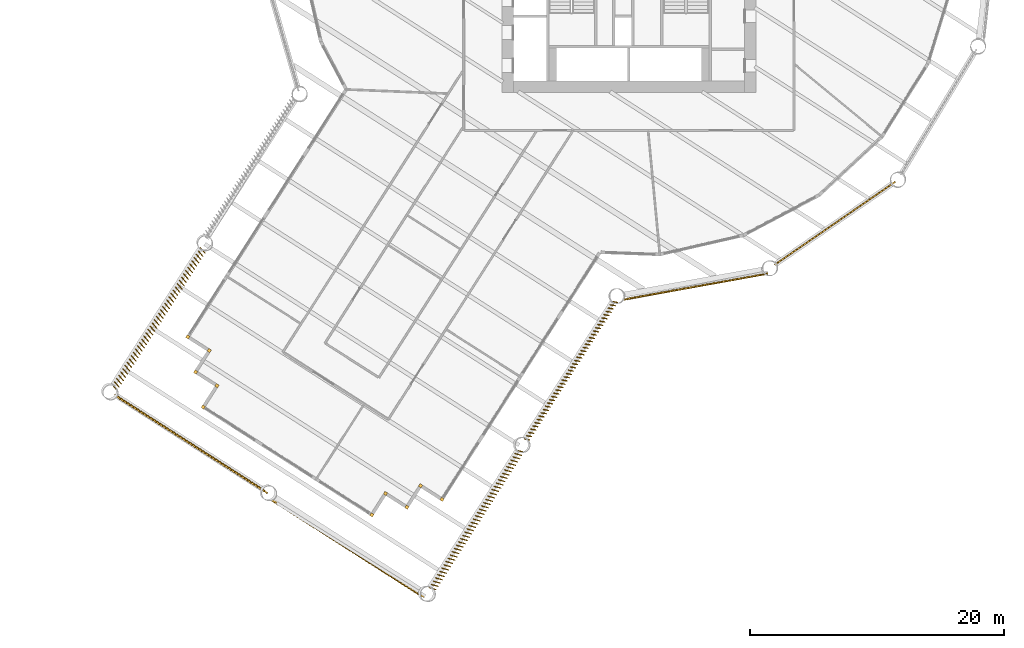
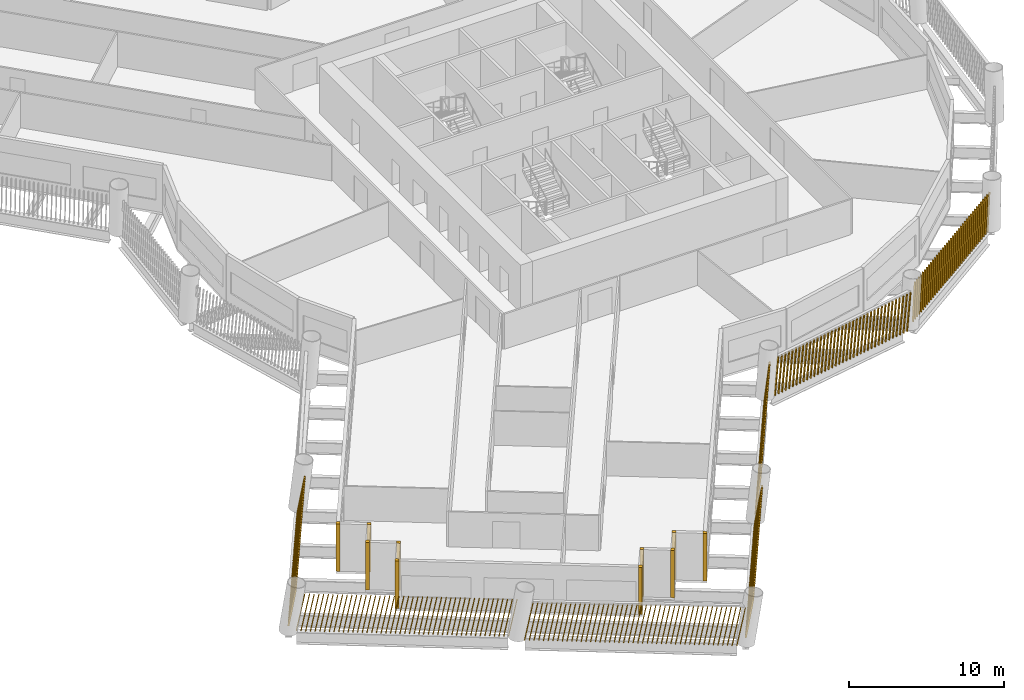
# One storey, part 11 of 15: 17 shading devices.
"""IFC4 building model written with IfcOpenShell, lengths in metres."""

from ifc_helpers import new_model, si_unit, direction, frame, frame_2d, origin, origin_2d, place, context, subcontext, project, spatial, rectangle, composite_profile, extrude, material, type_object, element, save


model = new_model("IFC4")

# Units and contexts
model_context = context("Model", 3, precision=1e-05, world=origin(), true_north=direction((0.0, 1.0)))
body_context = subcontext(model_context, "Body", "Model", "MODEL_VIEW")
ifc_project = project(units=[si_unit("LENGTHUNIT", "METRE"), si_unit("AREAUNIT", "SQUARE_METRE"), si_unit("VOLUMEUNIT", "CUBIC_METRE"), si_unit("PLANEANGLEUNIT", "RADIAN"), si_unit("MASSUNIT", "GRAM", prefix="KILO")], contexts=[model_context])

# Site, building, storey
site_placement = place(None, origin())
site = spatial("IfcSite", under=ifc_project, at=site_placement, CompositionType="ELEMENT")
building_placement = place(site_placement, origin())
building = spatial("IfcBuilding", under=site, at=building_placement, Name="Tarsis Ring Headquarters", CompositionType="ELEMENT")
storey_placement = place(building_placement, frame((0.0, 0.0, 67.300048828125)))
storey = spatial("IfcBuildingStorey", under=building, at=storey_placement, Name="L14", CompositionType="ELEMENT", Elevation=67.300048828125)

# Shading devices
ifc_material = material(Name="Terracotta baguette", Category="masonry")
shading_device_type_1 = type_object("IfcShadingDeviceType", Name="Terracotta baguette screen", PredefinedType="USERDEFINED", material=ifc_material)
shading_device_1_placement = place(storey_placement, frame((-33.694580078125, -25.217041015625, 0.0), z_axis=(0.0, 0.0, 1.0), x_axis=(-0.538781766231, -0.842450848676, 0.0)))
element("IfcShadingDevice", 1, at=shading_device_1_placement, inside=storey, type_object=shading_device_type_1, Name="Baguette screen L14-02", ObjectType="Terracotta baguette screen", PredefinedType="USERDEFINED", context=body_context, shape_type="SweptSolid", body=[
    extrude(composite_profile([rectangle(XDim=0.06005859375, YDim=0.1201171875, at=frame_2d((0.030029296875, 0.0))), rectangle(XDim=0.06005859375, YDim=0.1201171875, at=frame_2d((0.335693359375, 0.0))), rectangle(XDim=0.06005859375, YDim=0.1201171875, at=frame_2d((0.6416015625, 0.0))), rectangle(XDim=0.06005859375, YDim=0.1201171875, at=frame_2d((0.947265625, 0.0))), rectangle(XDim=0.06005859375, YDim=0.1201171875, at=frame_2d((1.253173828125, 0.0))), rectangle(XDim=0.06005859375, YDim=0.1201171875, at=frame_2d((1.558837890625, 0.0))), rectangle(XDim=0.06005859375, YDim=0.1201171875, at=frame_2d((1.864501953125, 0.0))), rectangle(XDim=0.06005859375, YDim=0.1201171875, at=frame_2d((2.17041015625, 0.0))), rectangle(XDim=0.06005859375, YDim=0.1201171875, at=frame_2d((2.47607421875, 0.0))), rectangle(XDim=0.06005859375, YDim=0.1201171875, at=frame_2d((2.781982421875, 0.0))), rectangle(XDim=0.06005859375, YDim=0.1201171875, at=frame_2d((3.087646484375, 0.0))), rectangle(XDim=0.06005859375, YDim=0.1201171875, at=frame_2d((3.393310546875, 0.0))), rectangle(XDim=0.06005859375, YDim=0.1201171875, at=frame_2d((3.69921875, 0.0))), rectangle(XDim=0.06005859375, YDim=0.1201171875, at=frame_2d((4.0048828125, 0.0))), rectangle(XDim=0.06005859375, YDim=0.1201171875, at=frame_2d((4.310791015625, 0.0))), rectangle(XDim=0.06005859375, YDim=0.1201171875, at=frame_2d((4.616455078125, 0.0))), rectangle(XDim=0.06005859375, YDim=0.1201171875, at=frame_2d((4.922119140625, 0.0))), rectangle(XDim=0.06005859375, YDim=0.1201171875, at=frame_2d((5.22802734375, 0.0))), rectangle(XDim=0.06005859375, YDim=0.1201171875, at=frame_2d((5.53369140625, 0.0))), rectangle(XDim=0.06005859375, YDim=0.1201171875, at=frame_2d((5.839599609375, 0.0))), rectangle(XDim=0.06005859375, YDim=0.1201171875, at=frame_2d((6.145263671875, 0.0))), rectangle(XDim=0.06005859375, YDim=0.1201171875, at=frame_2d((6.451171875, 0.0))), rectangle(XDim=0.06005859375, YDim=0.1201171875, at=frame_2d((6.7568359375, 0.0))), rectangle(XDim=0.06005859375, YDim=0.1201171875, at=frame_2d((7.0625, 0.0))), rectangle(XDim=0.06005859375, YDim=0.1201171875, at=frame_2d((7.368408203125, 0.0))), rectangle(XDim=0.06005859375, YDim=0.1201171875, at=frame_2d((7.674072265625, 0.0))), rectangle(XDim=0.06005859375, YDim=0.1201171875, at=frame_2d((7.97998046875, 0.0))), rectangle(XDim=0.06005859375, YDim=0.1201171875, at=frame_2d((8.28564453125, 0.0))), rectangle(XDim=0.06005859375, YDim=0.1201171875, at=frame_2d((8.59130859375, 0.0))), rectangle(XDim=0.06005859375, YDim=0.1201171875, at=frame_2d((8.897216796875, 0.0))), rectangle(XDim=0.06005859375, YDim=0.1201171875, at=frame_2d((9.202880859375, 0.0))), rectangle(XDim=0.06005859375, YDim=0.1201171875, at=frame_2d((9.5087890625, 0.0))), rectangle(XDim=0.06005859375, YDim=0.1201171875, at=frame_2d((9.814453125, 0.0))), rectangle(XDim=0.06005859375, YDim=0.1201171875, at=frame_2d((10.1201171875, 0.0))), rectangle(XDim=0.06005859375, YDim=0.1201171875, at=frame_2d((10.426025390625, 0.0))), rectangle(XDim=0.06005859375, YDim=0.1201171875, at=frame_2d((10.731689453125, 0.0))), rectangle(XDim=0.06005859375, YDim=0.1201171875, at=frame_2d((11.03759765625, 0.0))), rectangle(XDim=0.06005859375, YDim=0.1201171875, at=frame_2d((11.34326171875, 0.0))), rectangle(XDim=0.06005859375, YDim=0.1201171875, at=frame_2d((11.64892578125, 0.0))), rectangle(XDim=0.06005859375, YDim=0.1201171875, at=frame_2d((11.954833984375, 0.0))), rectangle(XDim=0.06005859375, YDim=0.1201171875, at=frame_2d((12.260498046875, 0.0))), rectangle(XDim=0.06005859375, YDim=0.1201171875, at=frame_2d((12.56640625, 0.0))), rectangle(XDim=0.06005859375, YDim=0.1201171875, at=frame_2d((12.8720703125, 0.0)))]), origin(), (0.050898943836, 0.160556132221, 0.985713460354), 2.995361328125),
])
shading_device_2_placement = place(storey_placement, frame((-40.494140625, -36.777099609375, 0.0), z_axis=(0.0, 0.0, 1.0), x_axis=(0.842456301748, -0.538779987262, 0.0)))
element("IfcShadingDevice", 2, at=shading_device_2_placement, inside=storey, type_object=shading_device_type_1, Name="Baguette screen L14-03", ObjectType="Terracotta baguette screen", PredefinedType="USERDEFINED", context=body_context, shape_type="SweptSolid", body=[
    extrude(composite_profile([rectangle(XDim=0.06005859375, YDim=0.1201171875, at=frame_2d((0.030029296875, 0.0))), rectangle(XDim=0.06005859375, YDim=0.1201171875, at=frame_2d((0.33544921875, 0.0))), rectangle(XDim=0.06005859375, YDim=0.1201171875, at=frame_2d((0.640625, 0.0))), rectangle(XDim=0.06005859375, YDim=0.1201171875, at=frame_2d((0.946044921875, 0.0))), rectangle(XDim=0.06005859375, YDim=0.1201171875, at=frame_2d((1.25146484375, 0.0))), rectangle(XDim=0.06005859375, YDim=0.1201171875, at=frame_2d((1.556640625, 0.0))), rectangle(XDim=0.06005859375, YDim=0.1201171875, at=frame_2d((1.862060546875, 0.0))), rectangle(XDim=0.06005859375, YDim=0.1201171875, at=frame_2d((2.16748046875, 0.0))), rectangle(XDim=0.06005859375, YDim=0.1201171875, at=frame_2d((2.47265625, 0.0))), rectangle(XDim=0.06005859375, YDim=0.1201171875, at=frame_2d((2.778076171875, 0.0))), rectangle(XDim=0.06005859375, YDim=0.1201171875, at=frame_2d((3.08349609375, 0.0))), rectangle(XDim=0.06005859375, YDim=0.1201171875, at=frame_2d((3.388671875, 0.0))), rectangle(XDim=0.06005859375, YDim=0.1201171875, at=frame_2d((3.694091796875, 0.0))), rectangle(XDim=0.06005859375, YDim=0.1201171875, at=frame_2d((3.99951171875, 0.0))), rectangle(XDim=0.06005859375, YDim=0.1201171875, at=frame_2d((4.3046875, 0.0))), rectangle(XDim=0.06005859375, YDim=0.1201171875, at=frame_2d((4.610107421875, 0.0))), rectangle(XDim=0.06005859375, YDim=0.1201171875, at=frame_2d((4.91552734375, 0.0))), rectangle(XDim=0.06005859375, YDim=0.1201171875, at=frame_2d((5.220703125, 0.0))), rectangle(XDim=0.06005859375, YDim=0.1201171875, at=frame_2d((5.526123046875, 0.0))), rectangle(XDim=0.06005859375, YDim=0.1201171875, at=frame_2d((5.83154296875, 0.0))), rectangle(XDim=0.06005859375, YDim=0.1201171875, at=frame_2d((6.13671875, 0.0))), rectangle(XDim=0.06005859375, YDim=0.1201171875, at=frame_2d((6.442138671875, 0.0))), rectangle(XDim=0.06005859375, YDim=0.1201171875, at=frame_2d((6.74755859375, 0.0))), rectangle(XDim=0.06005859375, YDim=0.1201171875, at=frame_2d((7.052734375, 0.0))), rectangle(XDim=0.06005859375, YDim=0.1201171875, at=frame_2d((7.358154296875, 0.0))), rectangle(XDim=0.06005859375, YDim=0.1201171875, at=frame_2d((7.66357421875, 0.0))), rectangle(XDim=0.06005859375, YDim=0.1201171875, at=frame_2d((7.96875, 0.0))), rectangle(XDim=0.06005859375, YDim=0.1201171875, at=frame_2d((8.274169921875, 0.0))), rectangle(XDim=0.06005859375, YDim=0.1201171875, at=frame_2d((8.57958984375, 0.0))), rectangle(XDim=0.06005859375, YDim=0.1201171875, at=frame_2d((8.884765625, 0.0))), rectangle(XDim=0.06005859375, YDim=0.1201171875, at=frame_2d((9.190185546875, 0.0))), rectangle(XDim=0.06005859375, YDim=0.1201171875, at=frame_2d((9.49560546875, 0.0))), rectangle(XDim=0.06005859375, YDim=0.1201171875, at=frame_2d((9.80078125, 0.0))), rectangle(XDim=0.06005859375, YDim=0.1201171875, at=frame_2d((10.106201171875, 0.0))), rectangle(XDim=0.06005859375, YDim=0.1201171875, at=frame_2d((10.41162109375, 0.0))), rectangle(XDim=0.06005859375, YDim=0.1201171875, at=frame_2d((10.716796875, 0.0))), rectangle(XDim=0.06005859375, YDim=0.1201171875, at=frame_2d((11.022216796875, 0.0))), rectangle(XDim=0.06005859375, YDim=0.1201171875, at=frame_2d((11.32763671875, 0.0))), rectangle(XDim=0.06005859375, YDim=0.1201171875, at=frame_2d((11.6328125, 0.0))), rectangle(XDim=0.06005859375, YDim=0.1201171875, at=frame_2d((11.938232421875, 0.0))), rectangle(XDim=0.06005859375, YDim=0.1201171875, at=frame_2d((12.24365234375, 0.0))), rectangle(XDim=0.06005859375, YDim=0.1201171875, at=frame_2d((12.548828125, 0.0))), rectangle(XDim=0.06005859375, YDim=0.1201171875, at=frame_2d((12.854248046875, 0.0))), rectangle(XDim=0.06005859375, YDim=0.1201171875, at=frame_2d((13.15966796875, 0.0))), rectangle(XDim=0.06005859375, YDim=0.1201171875, at=frame_2d((13.46484375, 0.0))), rectangle(XDim=0.06005859375, YDim=0.1201171875, at=frame_2d((13.770263671875, 0.0)))]), origin(), (0.18413600818, -0.024823287988, 0.982587265776), 3.0048828125),
])
shading_device_3_placement = place(storey_placement, frame((-28.22802734375, -45.06689453125, 0.0), z_axis=(0.0, 0.0, 1.0), x_axis=(0.842459088899, -0.538752764264, 0.0)))
element("IfcShadingDevice", 3, at=shading_device_3_placement, inside=storey, type_object=shading_device_type_1, Name="Baguette screen L14-04", ObjectType="Terracotta baguette screen", PredefinedType="USERDEFINED", context=body_context, shape_type="SweptSolid", body=[
    extrude(composite_profile([rectangle(XDim=0.06005859375, YDim=0.1201171875, at=frame_2d((0.030029296875, 0.0))), rectangle(XDim=0.06005859375, YDim=0.1201171875, at=frame_2d((0.33544921875, 0.0))), rectangle(XDim=0.06005859375, YDim=0.1201171875, at=frame_2d((0.640625, 0.0))), rectangle(XDim=0.06005859375, YDim=0.1201171875, at=frame_2d((0.946044921875, 0.0))), rectangle(XDim=0.06005859375, YDim=0.1201171875, at=frame_2d((1.25146484375, 0.0))), rectangle(XDim=0.06005859375, YDim=0.1201171875, at=frame_2d((1.556640625, 0.0))), rectangle(XDim=0.06005859375, YDim=0.1201171875, at=frame_2d((1.862060546875, 0.0))), rectangle(XDim=0.06005859375, YDim=0.1201171875, at=frame_2d((2.16748046875, 0.0))), rectangle(XDim=0.06005859375, YDim=0.1201171875, at=frame_2d((2.47265625, 0.0))), rectangle(XDim=0.06005859375, YDim=0.1201171875, at=frame_2d((2.778076171875, 0.0))), rectangle(XDim=0.06005859375, YDim=0.1201171875, at=frame_2d((3.08349609375, 0.0))), rectangle(XDim=0.06005859375, YDim=0.1201171875, at=frame_2d((3.388671875, 0.0))), rectangle(XDim=0.06005859375, YDim=0.1201171875, at=frame_2d((3.694091796875, 0.0))), rectangle(XDim=0.06005859375, YDim=0.1201171875, at=frame_2d((3.99951171875, 0.0))), rectangle(XDim=0.06005859375, YDim=0.1201171875, at=frame_2d((4.3046875, 0.0))), rectangle(XDim=0.06005859375, YDim=0.1201171875, at=frame_2d((4.610107421875, 0.0))), rectangle(XDim=0.06005859375, YDim=0.1201171875, at=frame_2d((4.91552734375, 0.0))), rectangle(XDim=0.06005859375, YDim=0.1201171875, at=frame_2d((5.220703125, 0.0))), rectangle(XDim=0.06005859375, YDim=0.1201171875, at=frame_2d((5.526123046875, 0.0))), rectangle(XDim=0.06005859375, YDim=0.1201171875, at=frame_2d((5.83154296875, 0.0))), rectangle(XDim=0.06005859375, YDim=0.1201171875, at=frame_2d((6.13671875, 0.0))), rectangle(XDim=0.06005859375, YDim=0.1201171875, at=frame_2d((6.442138671875, 0.0))), rectangle(XDim=0.06005859375, YDim=0.1201171875, at=frame_2d((6.74755859375, 0.0))), rectangle(XDim=0.06005859375, YDim=0.1201171875, at=frame_2d((7.052734375, 0.0))), rectangle(XDim=0.06005859375, YDim=0.1201171875, at=frame_2d((7.358154296875, 0.0))), rectangle(XDim=0.06005859375, YDim=0.1201171875, at=frame_2d((7.66357421875, 0.0))), rectangle(XDim=0.06005859375, YDim=0.1201171875, at=frame_2d((7.96875, 0.0))), rectangle(XDim=0.06005859375, YDim=0.1201171875, at=frame_2d((8.274169921875, 0.0))), rectangle(XDim=0.06005859375, YDim=0.1201171875, at=frame_2d((8.57958984375, 0.0))), rectangle(XDim=0.06005859375, YDim=0.1201171875, at=frame_2d((8.884765625, 0.0))), rectangle(XDim=0.06005859375, YDim=0.1201171875, at=frame_2d((9.190185546875, 0.0))), rectangle(XDim=0.06005859375, YDim=0.1201171875, at=frame_2d((9.49560546875, 0.0))), rectangle(XDim=0.06005859375, YDim=0.1201171875, at=frame_2d((9.80078125, 0.0))), rectangle(XDim=0.06005859375, YDim=0.1201171875, at=frame_2d((10.106201171875, 0.0))), rectangle(XDim=0.06005859375, YDim=0.1201171875, at=frame_2d((10.41162109375, 0.0))), rectangle(XDim=0.06005859375, YDim=0.1201171875, at=frame_2d((10.716796875, 0.0))), rectangle(XDim=0.06005859375, YDim=0.1201171875, at=frame_2d((11.022216796875, 0.0))), rectangle(XDim=0.06005859375, YDim=0.1201171875, at=frame_2d((11.32763671875, 0.0))), rectangle(XDim=0.06005859375, YDim=0.1201171875, at=frame_2d((11.6328125, 0.0))), rectangle(XDim=0.06005859375, YDim=0.1201171875, at=frame_2d((11.938232421875, 0.0))), rectangle(XDim=0.06005859375, YDim=0.1201171875, at=frame_2d((12.24365234375, 0.0))), rectangle(XDim=0.06005859375, YDim=0.1201171875, at=frame_2d((12.548828125, 0.0))), rectangle(XDim=0.06005859375, YDim=0.1201171875, at=frame_2d((12.854248046875, 0.0))), rectangle(XDim=0.06005859375, YDim=0.1201171875, at=frame_2d((13.15966796875, 0.0))), rectangle(XDim=0.06005859375, YDim=0.1201171875, at=frame_2d((13.46484375, 0.0))), rectangle(XDim=0.06005859375, YDim=0.1201171875, at=frame_2d((13.770263671875, 0.0)))]), origin(), (0.18512610875, 0.026748043747, 0.982350683827), 3.005615234375),
])
shading_device_4_placement = place(storey_placement, frame((-15.70947265625, -52.0341796875, 0.0), z_axis=(0.0, 0.0, 1.0), x_axis=(0.538771571299, 0.842453829852, 0.0)))
element("IfcShadingDevice", 4, at=shading_device_4_placement, inside=storey, type_object=shading_device_type_1, Name="Baguette screen L14-05", ObjectType="Terracotta baguette screen", PredefinedType="USERDEFINED", context=body_context, shape_type="SweptSolid", body=[
    extrude(composite_profile([rectangle(XDim=0.06005859375, YDim=0.1201171875, at=frame_2d((0.030029296875, 0.0))), rectangle(XDim=0.06005859375, YDim=0.1201171875, at=frame_2d((0.335693359375, 0.0))), rectangle(XDim=0.06005859375, YDim=0.1201171875, at=frame_2d((0.6416015625, 0.0))), rectangle(XDim=0.06005859375, YDim=0.1201171875, at=frame_2d((0.947265625, 0.0))), rectangle(XDim=0.06005859375, YDim=0.1201171875, at=frame_2d((1.253173828125, 0.0))), rectangle(XDim=0.06005859375, YDim=0.1201171875, at=frame_2d((1.558837890625, 0.0))), rectangle(XDim=0.06005859375, YDim=0.1201171875, at=frame_2d((1.864501953125, 0.0))), rectangle(XDim=0.06005859375, YDim=0.1201171875, at=frame_2d((2.17041015625, 0.0))), rectangle(XDim=0.06005859375, YDim=0.1201171875, at=frame_2d((2.47607421875, 0.0))), rectangle(XDim=0.06005859375, YDim=0.1201171875, at=frame_2d((2.781982421875, 0.0))), rectangle(XDim=0.06005859375, YDim=0.1201171875, at=frame_2d((3.087646484375, 0.0))), rectangle(XDim=0.06005859375, YDim=0.1201171875, at=frame_2d((3.393310546875, 0.0))), rectangle(XDim=0.06005859375, YDim=0.1201171875, at=frame_2d((3.69921875, 0.0))), rectangle(XDim=0.06005859375, YDim=0.1201171875, at=frame_2d((4.0048828125, 0.0))), rectangle(XDim=0.06005859375, YDim=0.1201171875, at=frame_2d((4.310791015625, 0.0))), rectangle(XDim=0.06005859375, YDim=0.1201171875, at=frame_2d((4.616455078125, 0.0))), rectangle(XDim=0.06005859375, YDim=0.1201171875, at=frame_2d((4.922119140625, 0.0))), rectangle(XDim=0.06005859375, YDim=0.1201171875, at=frame_2d((5.22802734375, 0.0))), rectangle(XDim=0.06005859375, YDim=0.1201171875, at=frame_2d((5.53369140625, 0.0))), rectangle(XDim=0.06005859375, YDim=0.1201171875, at=frame_2d((5.839599609375, 0.0))), rectangle(XDim=0.06005859375, YDim=0.1201171875, at=frame_2d((6.145263671875, 0.0))), rectangle(XDim=0.06005859375, YDim=0.1201171875, at=frame_2d((6.451171875, 0.0))), rectangle(XDim=0.06005859375, YDim=0.1201171875, at=frame_2d((6.7568359375, 0.0))), rectangle(XDim=0.06005859375, YDim=0.1201171875, at=frame_2d((7.0625, 0.0))), rectangle(XDim=0.06005859375, YDim=0.1201171875, at=frame_2d((7.368408203125, 0.0))), rectangle(XDim=0.06005859375, YDim=0.1201171875, at=frame_2d((7.674072265625, 0.0))), rectangle(XDim=0.06005859375, YDim=0.1201171875, at=frame_2d((7.97998046875, 0.0))), rectangle(XDim=0.06005859375, YDim=0.1201171875, at=frame_2d((8.28564453125, 0.0))), rectangle(XDim=0.06005859375, YDim=0.1201171875, at=frame_2d((8.59130859375, 0.0))), rectangle(XDim=0.06005859375, YDim=0.1201171875, at=frame_2d((8.897216796875, 0.0))), rectangle(XDim=0.06005859375, YDim=0.1201171875, at=frame_2d((9.202880859375, 0.0))), rectangle(XDim=0.06005859375, YDim=0.1201171875, at=frame_2d((9.5087890625, 0.0))), rectangle(XDim=0.06005859375, YDim=0.1201171875, at=frame_2d((9.814453125, 0.0))), rectangle(XDim=0.06005859375, YDim=0.1201171875, at=frame_2d((10.1201171875, 0.0))), rectangle(XDim=0.06005859375, YDim=0.1201171875, at=frame_2d((10.426025390625, 0.0))), rectangle(XDim=0.06005859375, YDim=0.1201171875, at=frame_2d((10.731689453125, 0.0))), rectangle(XDim=0.06005859375, YDim=0.1201171875, at=frame_2d((11.03759765625, 0.0))), rectangle(XDim=0.06005859375, YDim=0.1201171875, at=frame_2d((11.34326171875, 0.0))), rectangle(XDim=0.06005859375, YDim=0.1201171875, at=frame_2d((11.64892578125, 0.0))), rectangle(XDim=0.06005859375, YDim=0.1201171875, at=frame_2d((11.954833984375, 0.0))), rectangle(XDim=0.06005859375, YDim=0.1201171875, at=frame_2d((12.260498046875, 0.0))), rectangle(XDim=0.06005859375, YDim=0.1201171875, at=frame_2d((12.56640625, 0.0))), rectangle(XDim=0.06005859375, YDim=0.1201171875, at=frame_2d((12.8720703125, 0.0)))]), origin(), (0.052578993947, -0.16001342336, 0.985713525189), 2.995361328125),
])
shading_device_5_placement = place(storey_placement, frame((-8.21923828125, -40.322021484375, 0.0), z_axis=(0.0, 0.0, 1.0), x_axis=(0.538762843681, 0.842450848676, 0.0)))
element("IfcShadingDevice", 5, at=shading_device_5_placement, inside=storey, type_object=shading_device_type_1, Name="Baguette screen L14-06", ObjectType="Terracotta baguette screen", PredefinedType="USERDEFINED", context=body_context, shape_type="SweptSolid", body=[
    extrude(composite_profile([rectangle(XDim=0.06005859375, YDim=0.1201171875, at=frame_2d((0.030029296875, 0.0))), rectangle(XDim=0.06005859375, YDim=0.1201171875, at=frame_2d((0.335693359375, 0.0))), rectangle(XDim=0.06005859375, YDim=0.1201171875, at=frame_2d((0.6416015625, 0.0))), rectangle(XDim=0.06005859375, YDim=0.1201171875, at=frame_2d((0.947265625, 0.0))), rectangle(XDim=0.06005859375, YDim=0.1201171875, at=frame_2d((1.253173828125, 0.0))), rectangle(XDim=0.06005859375, YDim=0.1201171875, at=frame_2d((1.558837890625, 0.0))), rectangle(XDim=0.06005859375, YDim=0.1201171875, at=frame_2d((1.864501953125, 0.0))), rectangle(XDim=0.06005859375, YDim=0.1201171875, at=frame_2d((2.17041015625, 0.0))), rectangle(XDim=0.06005859375, YDim=0.1201171875, at=frame_2d((2.47607421875, 0.0))), rectangle(XDim=0.06005859375, YDim=0.1201171875, at=frame_2d((2.781982421875, 0.0))), rectangle(XDim=0.06005859375, YDim=0.1201171875, at=frame_2d((3.087646484375, 0.0))), rectangle(XDim=0.06005859375, YDim=0.1201171875, at=frame_2d((3.393310546875, 0.0))), rectangle(XDim=0.06005859375, YDim=0.1201171875, at=frame_2d((3.69921875, 0.0))), rectangle(XDim=0.06005859375, YDim=0.1201171875, at=frame_2d((4.0048828125, 0.0))), rectangle(XDim=0.06005859375, YDim=0.1201171875, at=frame_2d((4.310791015625, 0.0))), rectangle(XDim=0.06005859375, YDim=0.1201171875, at=frame_2d((4.616455078125, 0.0))), rectangle(XDim=0.06005859375, YDim=0.1201171875, at=frame_2d((4.922119140625, 0.0))), rectangle(XDim=0.06005859375, YDim=0.1201171875, at=frame_2d((5.22802734375, 0.0))), rectangle(XDim=0.06005859375, YDim=0.1201171875, at=frame_2d((5.53369140625, 0.0))), rectangle(XDim=0.06005859375, YDim=0.1201171875, at=frame_2d((5.839599609375, 0.0))), rectangle(XDim=0.06005859375, YDim=0.1201171875, at=frame_2d((6.145263671875, 0.0))), rectangle(XDim=0.06005859375, YDim=0.1201171875, at=frame_2d((6.451171875, 0.0))), rectangle(XDim=0.06005859375, YDim=0.1201171875, at=frame_2d((6.7568359375, 0.0))), rectangle(XDim=0.06005859375, YDim=0.1201171875, at=frame_2d((7.0625, 0.0))), rectangle(XDim=0.06005859375, YDim=0.1201171875, at=frame_2d((7.368408203125, 0.0))), rectangle(XDim=0.06005859375, YDim=0.1201171875, at=frame_2d((7.674072265625, 0.0))), rectangle(XDim=0.06005859375, YDim=0.1201171875, at=frame_2d((7.97998046875, 0.0))), rectangle(XDim=0.06005859375, YDim=0.1201171875, at=frame_2d((8.28564453125, 0.0))), rectangle(XDim=0.06005859375, YDim=0.1201171875, at=frame_2d((8.59130859375, 0.0))), rectangle(XDim=0.06005859375, YDim=0.1201171875, at=frame_2d((8.897216796875, 0.0))), rectangle(XDim=0.06005859375, YDim=0.1201171875, at=frame_2d((9.202880859375, 0.0))), rectangle(XDim=0.06005859375, YDim=0.1201171875, at=frame_2d((9.5087890625, 0.0))), rectangle(XDim=0.06005859375, YDim=0.1201171875, at=frame_2d((9.814453125, 0.0))), rectangle(XDim=0.06005859375, YDim=0.1201171875, at=frame_2d((10.1201171875, 0.0))), rectangle(XDim=0.06005859375, YDim=0.1201171875, at=frame_2d((10.426025390625, 0.0))), rectangle(XDim=0.06005859375, YDim=0.1201171875, at=frame_2d((10.731689453125, 0.0))), rectangle(XDim=0.06005859375, YDim=0.1201171875, at=frame_2d((11.03759765625, 0.0))), rectangle(XDim=0.06005859375, YDim=0.1201171875, at=frame_2d((11.34326171875, 0.0))), rectangle(XDim=0.06005859375, YDim=0.1201171875, at=frame_2d((11.64892578125, 0.0))), rectangle(XDim=0.06005859375, YDim=0.1201171875, at=frame_2d((11.954833984375, 0.0))), rectangle(XDim=0.06005859375, YDim=0.1201171875, at=frame_2d((12.260498046875, 0.0))), rectangle(XDim=0.06005859375, YDim=0.1201171875, at=frame_2d((12.56640625, 0.0))), rectangle(XDim=0.06005859375, YDim=0.1201171875, at=frame_2d((12.8720703125, 0.0)))]), origin(), (0.052672571067, -0.112155591163, 0.992293668038), 2.9755859375),
])
shading_device_6_placement = place(storey_placement, frame((-0.43994140625, -29.311767578125, 0.0), z_axis=(0.0, 0.0, 1.0), x_axis=(0.98419933151, 0.177106394062, 0.0)))
element("IfcShadingDevice", 6, at=shading_device_6_placement, inside=storey, type_object=shading_device_type_1, Name="Baguette screen L14-07", ObjectType="Terracotta baguette screen", PredefinedType="USERDEFINED", context=body_context, shape_type="SweptSolid", body=[
    extrude(composite_profile([rectangle(XDim=0.06005859375, YDim=0.1201171875, at=frame_2d((0.030029296875, 0.0))), rectangle(XDim=0.06005859375, YDim=0.1201171875, at=frame_2d((0.33251953125, 0.0))), rectangle(XDim=0.06005859375, YDim=0.1201171875, at=frame_2d((0.634765625, 0.0))), rectangle(XDim=0.06005859375, YDim=0.1201171875, at=frame_2d((0.937255859375, 0.0))), rectangle(XDim=0.06005859375, YDim=0.1201171875, at=frame_2d((1.239501953125, 0.0))), rectangle(XDim=0.06005859375, YDim=0.1201171875, at=frame_2d((1.5419921875, 0.0))), rectangle(XDim=0.06005859375, YDim=0.1201171875, at=frame_2d((1.844482421875, 0.0))), rectangle(XDim=0.06005859375, YDim=0.1201171875, at=frame_2d((2.146728515625, 0.0))), rectangle(XDim=0.06005859375, YDim=0.1201171875, at=frame_2d((2.44921875, 0.0))), rectangle(XDim=0.06005859375, YDim=0.1201171875, at=frame_2d((2.751708984375, 0.0))), rectangle(XDim=0.06005859375, YDim=0.1201171875, at=frame_2d((3.053955078125, 0.0))), rectangle(XDim=0.06005859375, YDim=0.1201171875, at=frame_2d((3.3564453125, 0.0))), rectangle(XDim=0.06005859375, YDim=0.1201171875, at=frame_2d((3.65869140625, 0.0))), rectangle(XDim=0.06005859375, YDim=0.1201171875, at=frame_2d((3.961181640625, 0.0))), rectangle(XDim=0.06005859375, YDim=0.1201171875, at=frame_2d((4.263671875, 0.0))), rectangle(XDim=0.06005859375, YDim=0.1201171875, at=frame_2d((4.56591796875, 0.0))), rectangle(XDim=0.06005859375, YDim=0.1201171875, at=frame_2d((4.868408203125, 0.0))), rectangle(XDim=0.06005859375, YDim=0.1201171875, at=frame_2d((5.1708984375, 0.0))), rectangle(XDim=0.06005859375, YDim=0.1201171875, at=frame_2d((5.47314453125, 0.0))), rectangle(XDim=0.06005859375, YDim=0.1201171875, at=frame_2d((5.775634765625, 0.0))), rectangle(XDim=0.06005859375, YDim=0.1201171875, at=frame_2d((6.077880859375, 0.0))), rectangle(XDim=0.06005859375, YDim=0.1201171875, at=frame_2d((6.38037109375, 0.0))), rectangle(XDim=0.06005859375, YDim=0.1201171875, at=frame_2d((6.682861328125, 0.0))), rectangle(XDim=0.06005859375, YDim=0.1201171875, at=frame_2d((6.985107421875, 0.0))), rectangle(XDim=0.06005859375, YDim=0.1201171875, at=frame_2d((7.28759765625, 0.0))), rectangle(XDim=0.06005859375, YDim=0.1201171875, at=frame_2d((7.590087890625, 0.0))), rectangle(XDim=0.06005859375, YDim=0.1201171875, at=frame_2d((7.892333984375, 0.0))), rectangle(XDim=0.06005859375, YDim=0.1201171875, at=frame_2d((8.19482421875, 0.0))), rectangle(XDim=0.06005859375, YDim=0.1201171875, at=frame_2d((8.4970703125, 0.0))), rectangle(XDim=0.06005859375, YDim=0.1201171875, at=frame_2d((8.799560546875, 0.0))), rectangle(XDim=0.06005859375, YDim=0.1201171875, at=frame_2d((9.10205078125, 0.0))), rectangle(XDim=0.06005859375, YDim=0.1201171875, at=frame_2d((9.404296875, 0.0))), rectangle(XDim=0.06005859375, YDim=0.1201171875, at=frame_2d((9.706787109375, 0.0))), rectangle(XDim=0.06005859375, YDim=0.1201171875, at=frame_2d((10.00927734375, 0.0))), rectangle(XDim=0.06005859375, YDim=0.1201171875, at=frame_2d((10.3115234375, 0.0))), rectangle(XDim=0.06005859375, YDim=0.1201171875, at=frame_2d((10.614013671875, 0.0))), rectangle(XDim=0.06005859375, YDim=0.1201171875, at=frame_2d((10.916259765625, 0.0))), rectangle(XDim=0.06005859375, YDim=0.1201171875, at=frame_2d((11.21875, 0.0)))]), origin(), (0.101510967808, 0.000531644011, 0.994834278043), 2.968017578125),
])
shading_device_7_placement = place(storey_placement, frame((11.468505859375, -26.578369140625, 0.0), z_axis=(0.0, 0.0, 1.0), x_axis=(0.823700488334, 0.567032013022, 0.0)))
element("IfcShadingDevice", 7, at=shading_device_7_placement, inside=storey, type_object=shading_device_type_1, Name="Baguette screen L14-08", ObjectType="Terracotta baguette screen", PredefinedType="USERDEFINED", context=body_context, shape_type="SweptSolid", body=[
    extrude(composite_profile([rectangle(XDim=0.06005859375, YDim=0.1201171875, at=frame_2d((0.030029296875, 0.0))), rectangle(XDim=0.06005859375, YDim=0.1201171875, at=frame_2d((0.33251953125, 0.0))), rectangle(XDim=0.06005859375, YDim=0.1201171875, at=frame_2d((0.634765625, 0.0))), rectangle(XDim=0.06005859375, YDim=0.1201171875, at=frame_2d((0.937255859375, 0.0))), rectangle(XDim=0.06005859375, YDim=0.1201171875, at=frame_2d((1.239501953125, 0.0))), rectangle(XDim=0.06005859375, YDim=0.1201171875, at=frame_2d((1.5419921875, 0.0))), rectangle(XDim=0.06005859375, YDim=0.1201171875, at=frame_2d((1.844482421875, 0.0))), rectangle(XDim=0.06005859375, YDim=0.1201171875, at=frame_2d((2.146728515625, 0.0))), rectangle(XDim=0.06005859375, YDim=0.1201171875, at=frame_2d((2.44921875, 0.0))), rectangle(XDim=0.06005859375, YDim=0.1201171875, at=frame_2d((2.751708984375, 0.0))), rectangle(XDim=0.06005859375, YDim=0.1201171875, at=frame_2d((3.053955078125, 0.0))), rectangle(XDim=0.06005859375, YDim=0.1201171875, at=frame_2d((3.3564453125, 0.0))), rectangle(XDim=0.06005859375, YDim=0.1201171875, at=frame_2d((3.65869140625, 0.0))), rectangle(XDim=0.06005859375, YDim=0.1201171875, at=frame_2d((3.961181640625, 0.0))), rectangle(XDim=0.06005859375, YDim=0.1201171875, at=frame_2d((4.263671875, 0.0))), rectangle(XDim=0.06005859375, YDim=0.1201171875, at=frame_2d((4.56591796875, 0.0))), rectangle(XDim=0.06005859375, YDim=0.1201171875, at=frame_2d((4.868408203125, 0.0))), rectangle(XDim=0.06005859375, YDim=0.1201171875, at=frame_2d((5.1708984375, 0.0))), rectangle(XDim=0.06005859375, YDim=0.1201171875, at=frame_2d((5.47314453125, 0.0))), rectangle(XDim=0.06005859375, YDim=0.1201171875, at=frame_2d((5.775634765625, 0.0))), rectangle(XDim=0.06005859375, YDim=0.1201171875, at=frame_2d((6.077880859375, 0.0))), rectangle(XDim=0.06005859375, YDim=0.1201171875, at=frame_2d((6.38037109375, 0.0))), rectangle(XDim=0.06005859375, YDim=0.1201171875, at=frame_2d((6.682861328125, 0.0))), rectangle(XDim=0.06005859375, YDim=0.1201171875, at=frame_2d((6.985107421875, 0.0))), rectangle(XDim=0.06005859375, YDim=0.1201171875, at=frame_2d((7.28759765625, 0.0))), rectangle(XDim=0.06005859375, YDim=0.1201171875, at=frame_2d((7.590087890625, 0.0))), rectangle(XDim=0.06005859375, YDim=0.1201171875, at=frame_2d((7.892333984375, 0.0))), rectangle(XDim=0.06005859375, YDim=0.1201171875, at=frame_2d((8.19482421875, 0.0))), rectangle(XDim=0.06005859375, YDim=0.1201171875, at=frame_2d((8.4970703125, 0.0))), rectangle(XDim=0.06005859375, YDim=0.1201171875, at=frame_2d((8.799560546875, 0.0))), rectangle(XDim=0.06005859375, YDim=0.1201171875, at=frame_2d((9.10205078125, 0.0))), rectangle(XDim=0.06005859375, YDim=0.1201171875, at=frame_2d((9.404296875, 0.0))), rectangle(XDim=0.06005859375, YDim=0.1201171875, at=frame_2d((9.706787109375, 0.0))), rectangle(XDim=0.06005859375, YDim=0.1201171875, at=frame_2d((10.00927734375, 0.0))), rectangle(XDim=0.06005859375, YDim=0.1201171875, at=frame_2d((10.3115234375, 0.0))), rectangle(XDim=0.06005859375, YDim=0.1201171875, at=frame_2d((10.614013671875, 0.0))), rectangle(XDim=0.06005859375, YDim=0.1201171875, at=frame_2d((10.916259765625, 0.0))), rectangle(XDim=0.06005859375, YDim=0.1201171875, at=frame_2d((11.21875, 0.0)))]), origin(), (0.100200970366, 0.000524998855, 0.994967079814), 2.967529296875),
])
shading_device_type_2 = type_object("IfcShadingDeviceType", Name="Terracotta corner baguette 250x250", PredefinedType="USERDEFINED", material=ifc_material)
for number, where, z_axis, x_axis, name in (
    (8, (-34.72021484375, -32.24951171875, 0.0), (0.0, 0.0, 1.0), (-0.5387707556, -0.842452415814, 0.0), "Corner baguette L14-07"),
    (9, (-33.035400390625, -33.3271484375, 0.0), (0.0, 0.0, 1.0), (0.842452556864, -0.538770535046, 0.0), "Corner baguette L14-08"),
    (10, (-34.11279296875, -35.011962890625, 0.0), (0.0, 0.0, 1.0), (-0.538770535046, -0.842452556864, 0.0), "Corner baguette L14-09"),
    (11, (-32.427978515625, -36.089599609375, 0.0), (0.0, 0.0, 1.0), (0.842452415814, -0.5387707556, 0.0), "Corner baguette L14-10"),
    (12, (-33.505615234375, -37.7744140625, 0.0), (0.0, 0.0, 1.0), (-0.538770667378, -0.842452472234, 0.0), "Corner baguette L14-11"),
    (13, (-20.23681640625, -46.26025390625, 0.0), (0.0, 0.0, 1.0), (0.842452425217, -0.538770740896, 0.0), "Corner baguette L14-12"),
    (14, (-19.159423828125, -44.5751953125, 0.0), (0.0, 0.0, 1.0), (0.538770535046, 0.842452556864, 0.0), "Corner baguette L14-13"),
    (15, (-17.474365234375, -45.65283203125, 0.0), (0.0, 0.0, 1.0), (0.842452472234, -0.538770667378, 0.0), "Corner baguette L14-14"),
    (16, (-16.39697265625, -43.9677734375, 0.0), (0.0, 0.0, 1.0), (0.538770535046, 0.842452556864, 0.0), "Corner baguette L14-15"),
    (17, (-14.7119140625, -45.04541015625, 0.0), (0.0, 0.0, 1.0), (0.842452415814, -0.5387707556, 0.0), "Corner baguette L14-16"),
):
    element("IfcShadingDevice", number, at=place(storey_placement, frame(where, z_axis=z_axis, x_axis=x_axis)), inside=storey, type_object=shading_device_type_2, Name=name, ObjectType="Terracotta corner baguette", PredefinedType="USERDEFINED", context=body_context, shape_type="SweptSolid", body=[
        extrude(rectangle(XDim=0.25, YDim=0.25, at=origin_2d()), origin(), (0.0, 0.0, 1.0), 3.739990234375),
    ])

save(model, "model.ifc")
